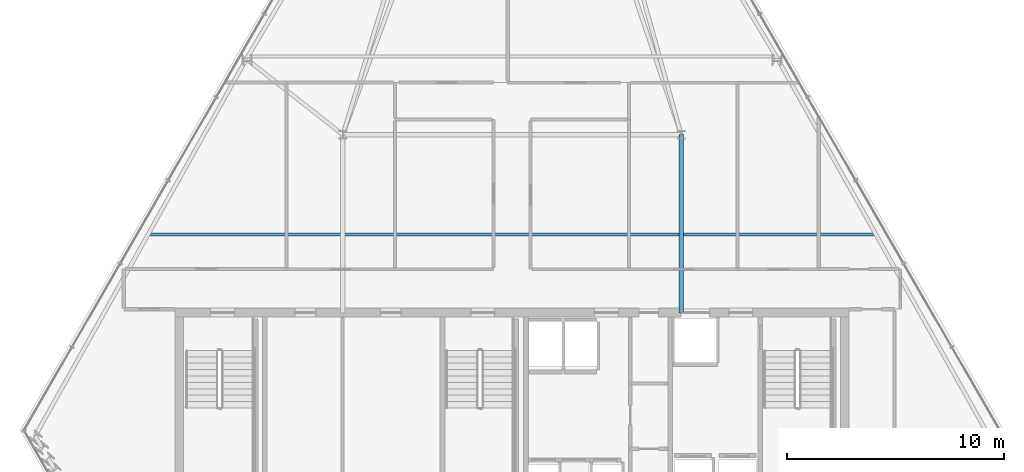
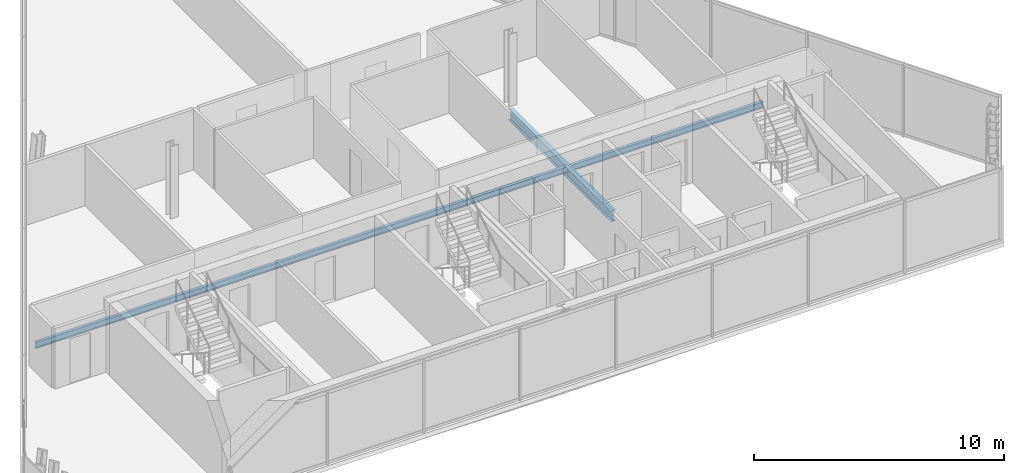
# One storey, part 12 of 35: 2 beams.
"""IFC4 building model written with IfcOpenShell, lengths in metres."""

from ifc_helpers import new_model, si_unit, direction, frame, origin, origin_2d, place, context, subcontext, project, spatial, i_section, extrude, material, material_profile, profile_set, type_object, element, save


model = new_model("IFC4")

# Units and contexts
model_context = context("Model", 3, precision=1e-05, world=origin(), true_north=direction((0.0, 1.0)))
body_context = subcontext(model_context, "Body", "Model", "MODEL_VIEW")
ifc_project = project(units=[si_unit("LENGTHUNIT", "METRE"), si_unit("AREAUNIT", "SQUARE_METRE"), si_unit("VOLUMEUNIT", "CUBIC_METRE"), si_unit("PLANEANGLEUNIT", "RADIAN"), si_unit("MASSUNIT", "GRAM", prefix="KILO")], contexts=[model_context])

# Site, building, storey
site_placement = place(None, origin())
site = spatial("IfcSite", under=ifc_project, at=site_placement, CompositionType="ELEMENT")
building_placement = place(site_placement, origin())
building = spatial("IfcBuilding", under=site, at=building_placement, Name="Ndaravel Arena Tower", CompositionType="ELEMENT")
storey_placement = place(building_placement, frame((0.0, 0.0, 275.0)))
storey = spatial("IfcBuildingStorey", under=building, at=storey_placement, Name="L67", CompositionType="ELEMENT", Elevation=275.0)

# Beams
ifc_material_1 = material(Name="Steel S355", Category="steel")
ifc_material_profile_1 = material_profile(ifc_material_1, i_section(OverallWidth=0.210693359375, OverallDepth=0.53955078125, WebThickness=0.01171875, FlangeThickness=0.018798828125, FilletRadius=0.0126953125, at=origin_2d()), Name="UB 533x210x109")
ifc_profile_set_1 = profile_set([ifc_material_profile_1], Name="Steel S355")
beam_type_1 = type_object("IfcBeamType", Name="BM-GIRD-UB533", PredefinedType="BEAM", material=ifc_profile_set_1)
beam_1_placement = place(storey_placement, frame((49.800048828125, 14.97998046875, -0.48974609375), z_axis=(0.0, 1.0, 0.0), x_axis=(-1.0, 0.0, 0.0)))
element("IfcBeam", 1, at=beam_1_placement, inside=storey, type_object=beam_type_1, Name="L67 Spine Link Girder SLG-02", PredefinedType="BEAM", context=body_context, shape_type="SweptSolid", body=[
    extrude(i_section(OverallWidth=0.210693359375, OverallDepth=0.53955078125, WebThickness=0.01171875, FlangeThickness=0.018798828125, FilletRadius=0.0126953125, at=origin_2d()), origin(), (0.0, 0.0, 1.0), 8.219970703125),
])
ifc_material_2 = material(Name="Steel S355", Category="steel")
ifc_material_profile_2 = material_profile(ifc_material_2, i_section(OverallWidth=0.14990234375, OverallDepth=0.300048828125, WebThickness=0.007080078125, FlangeThickness=0.0107421875, FilletRadius=0.014892578125, at=origin_2d()), Name="IPE 300")
ifc_profile_set_2 = profile_set([ifc_material_profile_2], Name="Steel S355")
beam_type_2 = type_object("IfcBeamType", Name="BM-JOIST-IPE300", PredefinedType="JOIST", material=ifc_profile_set_2)
beam_2_placement = place(storey_placement, frame((25.2177734375, 18.60009765625, -0.3701171875), z_axis=(1.0, 0.0, 0.0), x_axis=(0.0, 1.0, 0.0)))
element("IfcBeam", 2, at=beam_2_placement, inside=storey, type_object=beam_type_2, Name="L67 Composite Floor Joist FJ-01", PredefinedType="JOIST", context=body_context, shape_type="SweptSolid", body=[
    extrude(i_section(OverallWidth=0.14990234375, OverallDepth=0.300048828125, WebThickness=0.007080078125, FlangeThickness=0.0107421875, FilletRadius=0.014892578125, at=origin_2d()), origin(), (0.0, 0.0, 1.0), 33.564453125),
])

save(model, "model.ifc")
